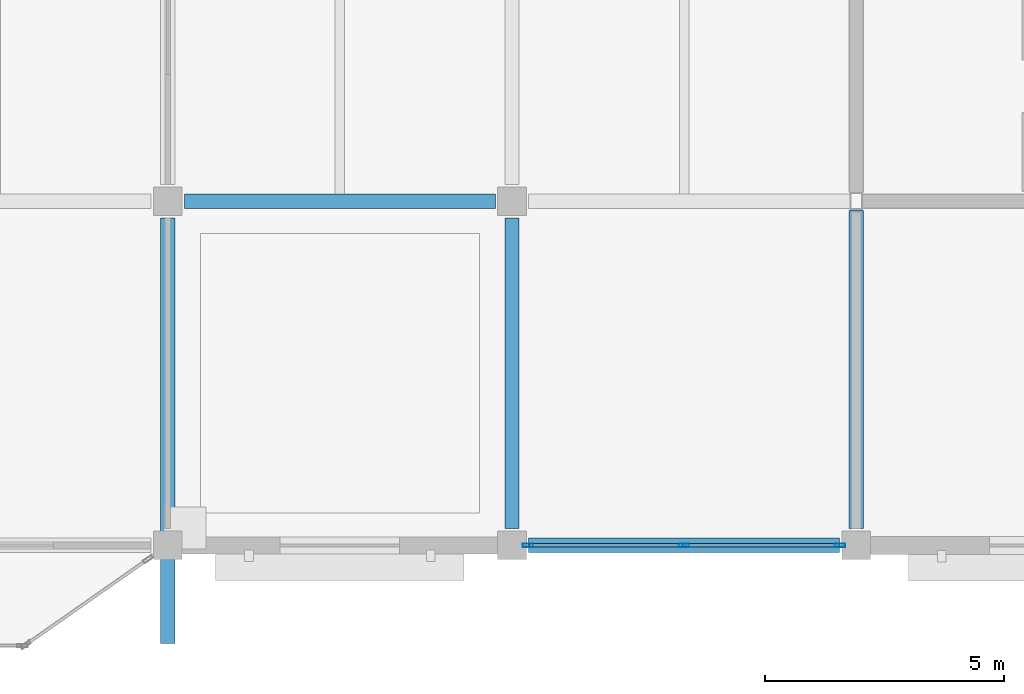
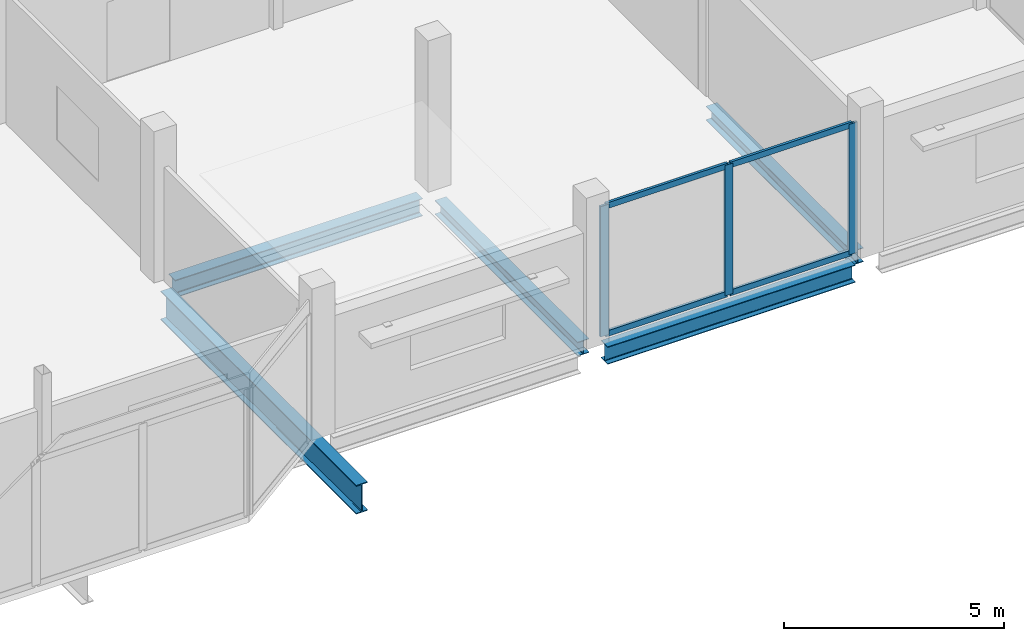
# One storey, part 27 of 51: 7 members, 5 beams, 1 element without a shape of its own.
"""IFC4 building model written with IfcOpenShell, lengths in metres."""

import ifcopenshell
import ifcopenshell.guid

model = None  # the IFC model being written
_history = None  # IfcOwnerHistory: only IFC2X3 demands one
_inside = {}  # id of a spatial element -> (the spatial element, [elements in it])
_under = {}  # id of a project, library or spatial element -> (it, [spatial elements below it])
_declared = {}  # id of a project -> (the project, [libraries it declares])
_typed = {}  # id of a type object -> (the type object, [elements of that type])
_made_of = {}  # id of a material, layer set ... -> (it, [elements and type objects made of it])


def new_model(schema):
    """Start an empty IFC model of exactly this schema.

    Asked for "IFC4X3", IfcOpenShell would pick the latest addendum, in which some entities
    have other attributes; the version numbers below select the first issue.
    IFC2X3 requires an IfcOwnerHistory on every rooted entity: one is made here for all.
    """
    global model, _history
    if schema == "IFC4X3":
        model = ifcopenshell.file(schema_version=(4, 3, 0, 0))
    else:
        model = ifcopenshell.file(schema=schema)
    _inside.clear()
    _under.clear()
    _declared.clear()
    _typed.clear()
    _made_of.clear()
    _history = None
    if model.schema == "IFC2X3":
        org = make("IfcOrganization", Name="unknown")
        user = make(
            "IfcPersonAndOrganization",
            ThePerson=make("IfcPerson", FamilyName="unknown"),
            TheOrganization=org,
        )
        app = make(
            "IfcApplication",
            ApplicationDeveloper=org,
            Version="unknown",
            ApplicationFullName="unknown",
            ApplicationIdentifier="unknown",
        )
        _history = make(
            "IfcOwnerHistory",
            OwningUser=user,
            OwningApplication=app,
            ChangeAction="ADDED",
            CreationDate=0,
        )
    return model


def make(cls, **values):
    """One entity of the class cls with the attributes given. An attribute that is None is left unset."""
    return model.create_entity(
        cls, **{name: value for name, value in values.items() if value is not None}
    )


def rooted(cls, **values):
    """An entity with a GlobalId (a new one), such as an element, a storey or a relation."""
    return make(cls, GlobalId=ifcopenshell.guid.new(), OwnerHistory=_history, **values)


def si_unit(unit_type, name, prefix=None):
    """IfcSIUnit, for example si_unit("LENGTHUNIT", "METRE", prefix="MILLI")."""
    return make("IfcSIUnit", UnitType=unit_type, Prefix=prefix, Name=name)


def assignment(units):
    """IfcUnitAssignment: the units of a project."""
    return None if units is None else make("IfcUnitAssignment", Units=units)


def point(xyz):
    """IfcCartesianPoint."""
    return None if xyz is None else make("IfcCartesianPoint", Coordinates=xyz)


def direction(xyz):
    """IfcDirection."""
    return None if xyz is None else make("IfcDirection", DirectionRatios=xyz)


def frame(location, z_axis=None, x_axis=None):
    """IfcAxis2Placement3D, a coordinate frame: its origin and axes. An axis left out is left unset."""
    return make(
        "IfcAxis2Placement3D",
        Location=point(location),
        Axis=direction(z_axis),
        RefDirection=direction(x_axis),
    )


def frame_2d(location, x_axis=None):
    """IfcAxis2Placement2D, a coordinate frame in the plane: its origin and x axis."""
    return make(
        "IfcAxis2Placement2D", Location=point(location), RefDirection=direction(x_axis)
    )


def origin():
    """The frame at (0, 0, 0) with its axes left unset."""
    return frame((0.0, 0.0, 0.0))


def origin_2d():
    """The frame at (0, 0) in the plane with its x axis left unset."""
    return frame_2d((0.0, 0.0))


def place(relative_to, where):
    """IfcLocalPlacement: puts the frame where relative to a parent placement (None: the world)."""
    return make(
        "IfcLocalPlacement", PlacementRelTo=relative_to, RelativePlacement=where
    )


def context(
    kind, dimensions, precision=None, world=None, true_north=None, identifier=None
):
    """IfcGeometricRepresentationContext, for example the 3D "Model" context."""
    return make(
        "IfcGeometricRepresentationContext",
        ContextIdentifier=identifier,
        ContextType=kind,
        CoordinateSpaceDimension=dimensions,
        Precision=precision,
        WorldCoordinateSystem=world,
        TrueNorth=true_north,
    )


def subcontext(parent, identifier, kind, view, scale=None):
    """IfcGeometricRepresentationSubContext, for example "Body" below "Model"."""
    return make(
        "IfcGeometricRepresentationSubContext",
        ContextIdentifier=identifier,
        ContextType=kind,
        ParentContext=parent,
        TargetScale=scale,
        TargetView=view,
    )


def project(units=None, contexts=None):
    """IfcProject with its units and contexts."""
    return rooted(
        "IfcProject",
        Name="project",
        RepresentationContexts=contexts,
        UnitsInContext=assignment(units),
    )


def spatial(cls, under=None, at=None, **own):
    """A site, building, storey or space (cls), placed at a placement, below another one or the project."""
    s = rooted(cls, ObjectPlacement=at, **own)
    if under is not None:
        _under.setdefault(under.id(), (under, []))[1].append(s)
    return s


def profile(cls, at=None, kind="AREA", **sizes):
    """A parametric profile (cls). Its sizes go by their IFC names, for example OverallWidth=200.0."""
    return make(cls, ProfileType=kind, Position=at, **sizes)


def hollow_rectangle(**sizes):
    """IfcRectangleHollowProfileDef."""
    return profile("IfcRectangleHollowProfileDef", **sizes)


def i_section(**sizes):
    """IfcIShapeProfileDef."""
    return profile("IfcIShapeProfileDef", **sizes)


def extrude(swept, where, along, depth):
    """IfcExtrudedAreaSolid: the profile swept, set in the frame where, extruded along a direction by depth."""
    return make(
        "IfcExtrudedAreaSolid",
        SweptArea=swept,
        Position=where,
        ExtrudedDirection=direction(along),
        Depth=depth,
    )


def shape(context_of_items, identifier, shape_type, items):
    """IfcShapeRepresentation: the items that make up one representation, for example the "Body"."""
    return make(
        "IfcShapeRepresentation",
        ContextOfItems=context_of_items,
        RepresentationIdentifier=identifier,
        RepresentationType=shape_type,
        Items=items,
    )


def material(Name=None, Category=None):
    """IfcMaterial."""
    return make("IfcMaterial", Name=Name, Category=Category)


def material_profile(
    of_material, cross_section, Name=None, Category=None, Priority=None
):
    """IfcMaterialProfile: a cross section and its material."""
    return make(
        "IfcMaterialProfile",
        Name=Name,
        Material=of_material,
        Profile=cross_section,
        Priority=Priority,
        Category=Category,
    )


def profile_set(profiles, Name=None, composite=None):
    """IfcMaterialProfileSet."""
    return make(
        "IfcMaterialProfileSet",
        Name=Name,
        MaterialProfiles=profiles,
        CompositeProfile=composite,
    )


def made_of(thing, what):
    """Note that an element or type object is made of a material, layer set ...; save() writes the relation."""
    if what is not None:
        _made_of.setdefault(what.id(), (what, []))[1].append(thing)
    return thing


def type_object(cls, material=None, **own):
    """A type object (cls), such as IfcWallType, which elements share."""
    return made_of(rooted(cls, **own), material)


def element(
    cls,
    number,
    at=None,
    inside=None,
    cuts=None,
    type_object=None,
    material=None,
    context=None,
    identifier="Body",
    shape_type=None,
    held_by="IfcProductDefinitionShape",
    body=None,
    shapes=None,
    **own,
):
    """One element of the class cls, such as IfcWall. Its Tag is "e" and its number.

    at: its placement. inside: the storey or other place that contains it. cuts: it is an
    opening in that element (IfcRelVoidsElement). A single representation is given by context,
    identifier, shape_type and body (its items); several are given by shapes. held_by: the class
    of the entity that holds the representations. save() writes the other relations.
    """
    e = rooted(cls, Tag="e%d" % number, ObjectPlacement=at, **own)
    if body is not None:
        shapes = [shape(context, identifier, shape_type, body)]
    if shapes is not None:
        e.Representation = make(held_by, Representations=shapes)
    if inside is not None:
        _inside.setdefault(inside.id(), (inside, []))[1].append(e)
    if cuts is not None:
        rooted(
            "IfcRelVoidsElement", RelatingBuildingElement=cuts, RelatedOpeningElement=e
        )
    if type_object is not None:
        _typed.setdefault(type_object.id(), (type_object, []))[1].append(e)
    return made_of(e, material)


def aggregate(whole, parts):
    """IfcRelAggregates: a whole, such as a stair, and the parts it consists of."""
    return rooted("IfcRelAggregates", RelatingObject=whole, RelatedObjects=parts)


def save(model, path):
    """Write the relations noted so far, then the file.

    IfcRelAggregates (storeys below a building ...), IfcRelContainedInSpatialStructure (elements
    in a storey), IfcRelDefinesByType, IfcRelAssociatesMaterial and IfcRelDeclares: one each for
    every whole, place, type object, material and project.
    """
    for whole, parts in _under.values():
        aggregate(whole, parts)
    for where, things in _inside.values():
        rooted(
            "IfcRelContainedInSpatialStructure",
            RelatedElements=things,
            RelatingStructure=where,
        )
    for kind, things in _typed.values():
        rooted("IfcRelDefinesByType", RelatedObjects=things, RelatingType=kind)
    for what, things in _made_of.values():
        rooted("IfcRelAssociatesMaterial", RelatedObjects=things, RelatingMaterial=what)
    for by, libraries in _declared.values():
        rooted("IfcRelDeclares", RelatingContext=by, RelatedDefinitions=libraries)
    model.write(path)


model = new_model("IFC4")

# Units and contexts
model_context = context("Model", 3, precision=1e-05, world=origin(), true_north=direction((0.0, 1.0)))
body_context = subcontext(model_context, "Body", "Model", "MODEL_VIEW")
ifc_project = project(units=[si_unit("LENGTHUNIT", "METRE"), si_unit("AREAUNIT", "SQUARE_METRE"), si_unit("VOLUMEUNIT", "CUBIC_METRE"), si_unit("PLANEANGLEUNIT", "RADIAN"), si_unit("MASSUNIT", "GRAM", prefix="KILO")], contexts=[model_context])

# Site, building, storey
site_placement = place(None, origin())
site = spatial("IfcSite", under=ifc_project, at=site_placement, CompositionType="ELEMENT")
building_placement = place(site_placement, origin())
building = spatial("IfcBuilding", under=site, at=building_placement, Name="Vesperath Aquatics Centre", CompositionType="ELEMENT")
storey_placement = place(building_placement, frame((0.0, 0.0, 15.0)))
storey = spatial("IfcBuildingStorey", under=building, at=storey_placement, Name="L03", CompositionType="ELEMENT", Elevation=15.0)

# Beams
ifc_material_1 = material(Name="Steel Q355D", Category="steel")
ifc_material_profile_1 = material_profile(ifc_material_1, i_section(OverallWidth=0.300048828125, OverallDepth=0.800048828125, WebThickness=0.013916015625, FlangeThickness=0.02587890625, FilletRadius=0.028076171875, at=origin_2d()), Name="HN 800x300x14x26")
ifc_profile_set_1 = profile_set([ifc_material_profile_1], Name="Steel Q355D")
beam_type_1 = type_object("IfcBeamType", Name="BM-G07", PredefinedType="BEAM", material=ifc_profile_set_1)
beam_1_placement = place(storey_placement, frame((151.199951171875, -2.050048828125, -0.639892578125), z_axis=(0.0, 1.0, 0.0), x_axis=(-1.0, 0.0, 0.0)))
element("IfcBeam", 1, at=beam_1_placement, inside=storey, type_object=beam_type_1, Name="Floor Girder B07 L03 22 A-B", PredefinedType="BEAM", context=body_context, shape_type="SweptSolid", body=[
    extrude(i_section(OverallWidth=0.300048828125, OverallDepth=0.800048828125, WebThickness=0.013916015625, FlangeThickness=0.02587890625, FilletRadius=0.028076171875, at=origin_2d()), origin(), (0.0, 0.0, 1.0), 8.900146484375),
])
ifc_material_2 = material(Name="Steel Q355C", Category="steel")
ifc_material_profile_2 = material_profile(ifc_material_2, i_section(OverallWidth=0.300048828125, OverallDepth=0.488037109375, WebThickness=0.010986328125, FlangeThickness=0.01806640625, FilletRadius=0.02587890625, at=origin_2d()), Name="HM 488x300x11x18")
ifc_profile_set_2 = profile_set([ifc_material_profile_2], Name="Steel Q355C")
beam_type_2 = type_object("IfcBeamType", Name="BM-G10", PredefinedType="BEAM", material=ifc_profile_set_2)
for number, where, z_axis, x_axis, name in (
    (2, (151.550048828125, 7.199951171875, -0.48388671875), (1.0, 0.0, 0.0), (0.0, 1.0, 0.0), "Floor Girder B10 L03 B 22-23"),
    (3, (158.75, 0.0, -0.48388671875), (1.0, 0.0, 0.0), (0.0, 1.0, 0.0), "Floor Girder B10 L03 A 23-24"),
):
    element("IfcBeam", number, at=place(storey_placement, frame(where, z_axis=z_axis, x_axis=x_axis)), inside=storey, type_object=beam_type_2, Name=name, PredefinedType="BEAM", context=body_context, shape_type="SweptSolid", body=[
        extrude(i_section(OverallWidth=0.300048828125, OverallDepth=0.488037109375, WebThickness=0.010986328125, FlangeThickness=0.01806640625, FilletRadius=0.02587890625, at=origin_2d()), origin(), (0.0, 0.0, 1.0), 6.5),
    ])
ifc_material_profile_3 = material_profile(ifc_material_2, i_section(OverallWidth=0.300048828125, OverallDepth=0.389892578125, WebThickness=0.010009765625, FlangeThickness=0.01611328125, FilletRadius=0.02197265625, at=origin_2d()), Name="HM 390x300x10x16")
ifc_profile_set_3 = profile_set([ifc_material_profile_3], Name="Steel Q355C")
beam_type_3 = type_object("IfcBeamType", Name="BM-G11", PredefinedType="BEAM", material=ifc_profile_set_3)
beam_2_placement = place(storey_placement, frame((158.39990234375, 0.35009765625, -0.43505859375), z_axis=(0.0, 1.0, 0.0), x_axis=(-1.0, 0.0, 0.0)))
element("IfcBeam", 4, at=beam_2_placement, inside=storey, type_object=beam_type_3, Name="Floor Girder B11 L03 23 A-B", PredefinedType="BEAM", context=body_context, shape_type="SweptSolid", body=[
    extrude(i_section(OverallWidth=0.300048828125, OverallDepth=0.389892578125, WebThickness=0.010009765625, FlangeThickness=0.01611328125, FilletRadius=0.02197265625, at=origin_2d()), origin(), (0.0, 0.0, 1.0), 6.5),
])
beam_3_placement = place(storey_placement, frame((165.60009765625, 0.35009765625, -0.43505859375), z_axis=(0.0, 1.0, 0.0), x_axis=(-1.0, 0.0, 0.0)))
element("IfcBeam", 5, at=beam_3_placement, inside=storey, type_object=beam_type_3, Name="Floor Girder B11 L03 24 A-B", PredefinedType="BEAM", context=body_context, shape_type="SweptSolid", body=[
    extrude(i_section(OverallWidth=0.300048828125, OverallDepth=0.389892578125, WebThickness=0.010009765625, FlangeThickness=0.01611328125, FilletRadius=0.02197265625, at=origin_2d()), origin(), (0.0, 0.0, 1.0), 6.64990234375),
])

# Curtain wall, members
ifc_material_3 = material(Name="Thermally broken anodised bronze aluminium curtain wall", Category="aluminium")
curtain_wall_type = type_object("IfcCurtainWallType", Name="CW-07", PredefinedType="NOTDEFINED", material=ifc_material_3)
curtain_wall_placement = place(storey_placement, origin())
curtain_wall = element("IfcCurtainWall", 6, at=curtain_wall_placement, inside=storey, type_object=curtain_wall_type, Name="Facade Curtain Wall CW07 L03_S_22_00", PredefinedType="NOTDEFINED")
ifc_material_4 = material(Name="Thermally broken anodised aluminium", Category="aluminium")
ifc_material_profile_4 = material_profile(ifc_material_4, hollow_rectangle(XDim=0.070068359375, YDim=0.219970703125, WallThickness=0.0048828125, at=origin_2d()), Name="CWM 70x220x5")
ifc_profile_set_4 = profile_set([ifc_material_profile_4], Name="Thermally broken anodised aluminium")
member_type_1 = type_object("IfcMemberType", Name="MB-CWM2", PredefinedType="MULLION", material=ifc_profile_set_4)
member_1_placement = place(storey_placement, frame((158.735107421875, 0.0, 0.0), z_axis=(0.0, 0.0, 1.0), x_axis=(0.0, 1.0, 0.0)))
member_1 = element("IfcMember", 7, at=member_1_placement, type_object=member_type_1, Name="CW07 mullion 1", PredefinedType="MULLION", context=body_context, shape_type="SweptSolid", body=[
    extrude(hollow_rectangle(XDim=0.070068359375, YDim=0.219970703125, WallThickness=0.0048828125, at=origin_2d()), origin(), (0.0, 0.0, 1.0), 3.6201171875),
])
member_2_placement = place(storey_placement, frame((162.0, 0.0, 0.0), z_axis=(0.0, 0.0, 1.0), x_axis=(0.0, 1.0, 0.0)))
member_2 = element("IfcMember", 8, at=member_2_placement, type_object=member_type_1, Name="CW07 mullion 2", PredefinedType="MULLION", context=body_context, shape_type="SweptSolid", body=[
    extrude(hollow_rectangle(XDim=0.070068359375, YDim=0.219970703125, WallThickness=0.0048828125, at=origin_2d()), origin(), (0.0, 0.0, 1.0), 3.6201171875),
])
member_3_placement = place(storey_placement, frame((165.264892578125, 0.0, 0.0), z_axis=(0.0, 0.0, 1.0), x_axis=(0.0, 1.0, 0.0)))
member_3 = element("IfcMember", 9, at=member_3_placement, type_object=member_type_1, Name="CW07 mullion 3", PredefinedType="MULLION", context=body_context, shape_type="SweptSolid", body=[
    extrude(hollow_rectangle(XDim=0.070068359375, YDim=0.219970703125, WallThickness=0.0048828125, at=origin_2d()), origin(), (0.0, 0.0, 1.0), 3.6201171875),
])
ifc_material_profile_5 = material_profile(ifc_material_4, hollow_rectangle(XDim=0.070068359375, YDim=0.159912109375, WallThickness=0.0048828125, at=origin_2d()), Name="CWT 70x160x5")
ifc_profile_set_5 = profile_set([ifc_material_profile_5], Name="Thermally broken anodised aluminium")
member_type_2 = type_object("IfcMemberType", Name="MB-CWT2", PredefinedType="USERDEFINED", material=ifc_profile_set_5)
member_4_placement = place(storey_placement, frame((158.77001953125, 0.0, 0.034912109375), z_axis=(1.0, 0.0, 0.0), x_axis=(0.0, 1.0, 0.0)))
member_4 = element("IfcMember", 10, at=member_4_placement, type_object=member_type_2, Name="CW07 transom 1.1", ObjectType="TRANSOM", PredefinedType="USERDEFINED", context=body_context, shape_type="SweptSolid", body=[
    extrude(hollow_rectangle(XDim=0.070068359375, YDim=0.159912109375, WallThickness=0.0048828125, at=origin_2d()), origin(), (0.0, 0.0, 1.0), 3.195068359375),
])
member_5_placement = place(storey_placement, frame((158.77001953125, 0.0, 3.5849609375), z_axis=(1.0, 0.0, 0.0), x_axis=(0.0, 1.0, 0.0)))
member_5 = element("IfcMember", 11, at=member_5_placement, type_object=member_type_2, Name="CW07 transom 1.2", ObjectType="TRANSOM", PredefinedType="USERDEFINED", context=body_context, shape_type="SweptSolid", body=[
    extrude(hollow_rectangle(XDim=0.070068359375, YDim=0.159912109375, WallThickness=0.0048828125, at=origin_2d()), origin(), (0.0, 0.0, 1.0), 3.195068359375),
])
member_6_placement = place(storey_placement, frame((162.034912109375, 0.0, 0.034912109375), z_axis=(1.0, 0.0, 0.0), x_axis=(0.0, 1.0, 0.0)))
member_6 = element("IfcMember", 12, at=member_6_placement, type_object=member_type_2, Name="CW07 transom 2.1", ObjectType="TRANSOM", PredefinedType="USERDEFINED", context=body_context, shape_type="SweptSolid", body=[
    extrude(hollow_rectangle(XDim=0.070068359375, YDim=0.159912109375, WallThickness=0.0048828125, at=origin_2d()), origin(), (0.0, 0.0, 1.0), 3.195068359375),
])
member_7_placement = place(storey_placement, frame((162.034912109375, 0.0, 3.5849609375), z_axis=(1.0, 0.0, 0.0), x_axis=(0.0, 1.0, 0.0)))
member_7 = element("IfcMember", 13, at=member_7_placement, type_object=member_type_2, Name="CW07 transom 2.2", ObjectType="TRANSOM", PredefinedType="USERDEFINED", context=body_context, shape_type="SweptSolid", body=[
    extrude(hollow_rectangle(XDim=0.070068359375, YDim=0.159912109375, WallThickness=0.0048828125, at=origin_2d()), origin(), (0.0, 0.0, 1.0), 3.195068359375),
])
aggregate(curtain_wall, [member_1, member_2, member_3, member_4, member_5, member_6, member_7])

save(model, "model.ifc")
